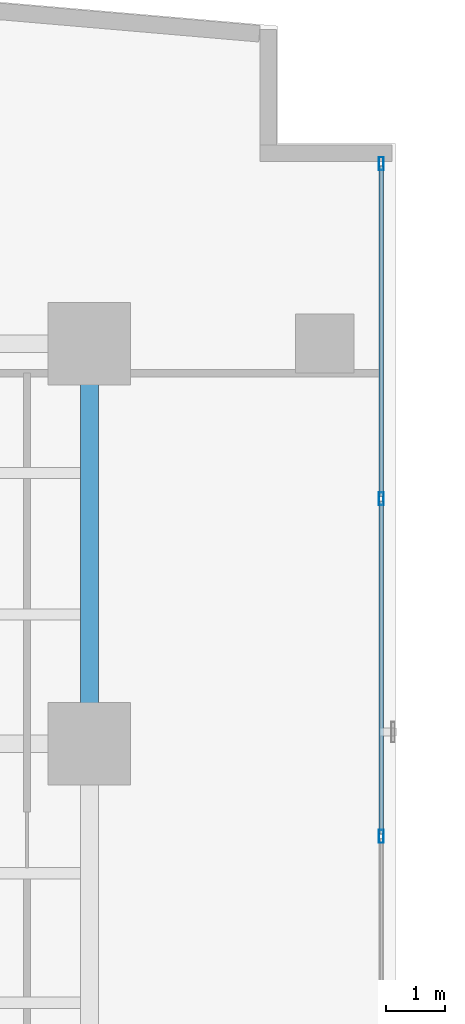
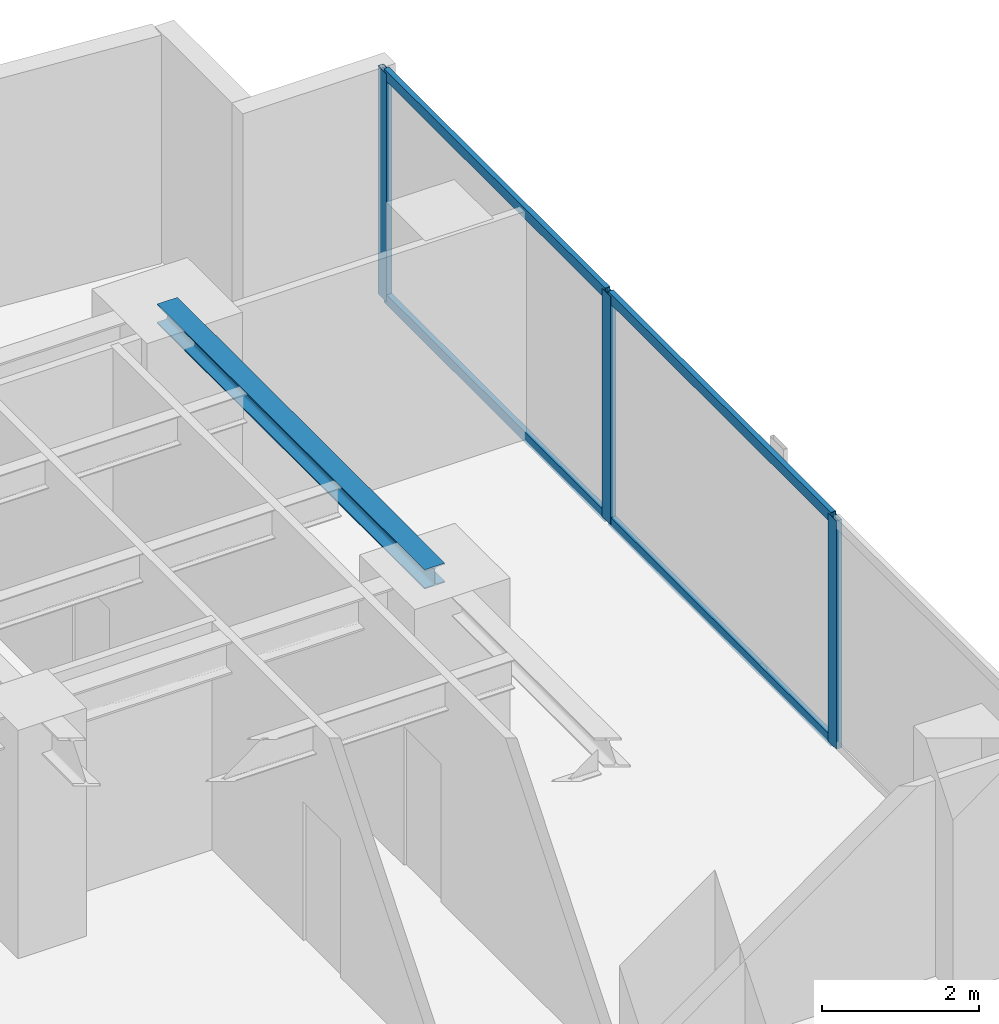
# One storey, part 19 of 26: 7 members, 1 beam, 1 element without a shape of its own.
"""IFC4 building model written with IfcOpenShell, lengths in metres."""

from ifc_helpers import new_model, si_unit, direction, frame, origin, origin_with_axes, origin_2d, place, context, subcontext, project, spatial, hollow_rectangle, i_section, extrude, source, transform, mapped, material, layer, layer_set, material_profile, profile_set, type_object, element, aggregate, save


model = new_model("IFC4")

# Units and contexts
model_context = context("Model", 3, precision=1e-05, world=origin(), true_north=direction((0.0, 1.0)))
body_context = subcontext(model_context, "Body", "Model", "MODEL_VIEW")
ifc_project = project(units=[si_unit("LENGTHUNIT", "METRE"), si_unit("AREAUNIT", "SQUARE_METRE"), si_unit("VOLUMEUNIT", "CUBIC_METRE"), si_unit("PLANEANGLEUNIT", "RADIAN"), si_unit("MASSUNIT", "GRAM", prefix="KILO")], contexts=[model_context])

# Site, building, storey
site_placement = place(None, origin())
site = spatial("IfcSite", under=ifc_project, at=site_placement, CompositionType="ELEMENT")
building_placement = place(site_placement, origin())
building = spatial("IfcBuilding", under=site, at=building_placement, Name="Kolvaren Waterfront Exchange", CompositionType="ELEMENT")
storey_placement = place(building_placement, frame((0.0, 0.0, 99.300048828125)))
storey = spatial("IfcBuildingStorey", under=building, at=storey_placement, Name="L25", CompositionType="ELEMENT", Elevation=99.300048828125)

# Beam
ifc_material_1 = material(Name="Steel S355", Category="steel")
ifc_material_profile_1 = material_profile(ifc_material_1, i_section(OverallWidth=0.300048828125, OverallDepth=0.300048828125, WebThickness=0.010986328125, FlangeThickness=0.01904296875, FilletRadius=0.027099609375, at=origin_2d()), Name="HEB300")
ifc_profile_set_1 = profile_set([ifc_material_profile_1], Name="Steel S355")
beam_type = type_object("IfcBeamType", Name="STR-BM-HEB300", PredefinedType="SPANDREL", material=ifc_profile_set_1)
beam_placement = place(storey_placement, frame((18.800048828125, 37.800048828125, 3.389892578125), z_axis=(0.0, 1.0, 0.0), x_axis=(-1.0, 0.0, 0.0)))
element("IfcBeam", 1, at=beam_placement, inside=storey, type_object=beam_type, Name="L25 north-arm edge beam 3", PredefinedType="SPANDREL", context=body_context, shape_type="SweptSolid", body=[
    extrude(i_section(OverallWidth=0.300048828125, OverallDepth=0.300048828125, WebThickness=0.010986328125, FlangeThickness=0.01904296875, FilletRadius=0.027099609375, at=origin_2d()), origin(), (0.0, 0.0, 1.0), 6.800048828125),
])

# Curtain wall, members
ifc_material_2 = material(Name="Anodised bronze aluminium 6063-T6", Category="aluminium")
ifc_layer = layer(ifc_material_2, 0.219970703125, Name="Anodised bronze aluminium 6063-T6")
ifc_layer_set = layer_set([ifc_layer], Name="Anodised bronze aluminium 6063-T6")
curtain_wall_type = type_object("IfcCurtainWallType", Name="ARC-CW-SYS1", PredefinedType="USERDEFINED", material=ifc_layer_set)
curtain_wall_placement = place(storey_placement, origin())
curtain_wall = element("IfcCurtainWall", 2, at=curtain_wall_placement, inside=storey, type_object=curtain_wall_type, Name="L25 stick curtain wall CW1 (CW-L25-NE)", ObjectType="STICK CURTAIN WALL", PredefinedType="USERDEFINED")
ifc_material_3 = material(Name="Anodised aluminium 6063-T6", Category="aluminium")
ifc_material_profile_2 = material_profile(ifc_material_3, hollow_rectangle(XDim=0.080078125, YDim=0.219970703125, WallThickness=0.0048828125, at=origin_2d()), Name="ALU-MUL-220x80x5")
ifc_profile_set_2 = profile_set([ifc_material_profile_2], Name="Anodised aluminium 6063-T6")
member_type_1 = type_object("IfcMemberType", Name="ARC-CWM-220", PredefinedType="MULLION", material=ifc_profile_set_2)
shared_shape_1 = source(origin_with_axes(), body_context, "Body", "SweptSolid", [
    extrude(hollow_rectangle(XDim=0.080078125, YDim=0.219970703125, WallThickness=0.0048828125, at=origin_2d()), origin(), (0.0, 0.0, 1.0), 3.5400390625),
])
member_1_placement = place(storey_placement, frame((23.760009765625, 36.2265625, 0.0), z_axis=(0.0, 0.0, 1.0), x_axis=(-1.0, 0.0, 0.0)))
member_1 = element("IfcMember", 3, at=member_1_placement, type_object=member_type_1, Name="CW1 mullion 2", PredefinedType="MULLION", context=body_context, shape_type="MappedRepresentation", body=[
    mapped(shared_shape_1, transform((0.0, 0.0, 0.0), x_axis=(1.0, 0.0, 0.0), y_axis=(0.0, 1.0, 0.0), z_axis=(0.0, 0.0, 1.0), scale=1.0)),
])
member_2_placement = place(storey_placement, frame((23.760009765625, 41.96337890625, 0.0), z_axis=(0.0, 0.0, 1.0), x_axis=(-1.0, 0.0, 0.0)))
member_2 = element("IfcMember", 4, at=member_2_placement, type_object=member_type_1, Name="CW1 mullion 3", PredefinedType="MULLION", context=body_context, shape_type="MappedRepresentation", body=[
    mapped(shared_shape_1, transform((0.0, 0.0, 0.0), x_axis=(1.0, 0.0, 0.0), y_axis=(0.0, 1.0, 0.0), z_axis=(0.0, 0.0, 1.0), scale=1.0)),
])
member_3_placement = place(storey_placement, frame((23.760009765625, 47.659912109375, 0.0), z_axis=(0.0, 0.0, 1.0), x_axis=(-1.0, 0.0, 0.0)))
member_3 = element("IfcMember", 5, at=member_3_placement, type_object=member_type_1, Name="CW1 mullion 4", PredefinedType="MULLION", context=body_context, shape_type="MappedRepresentation", body=[
    mapped(shared_shape_1, transform((0.0, 0.0, 0.0), x_axis=(1.0, 0.0, 0.0), y_axis=(0.0, 1.0, 0.0), z_axis=(0.0, 0.0, 1.0), scale=1.0)),
])
ifc_material_profile_3 = material_profile(ifc_material_3, hollow_rectangle(XDim=0.074951171875, YDim=0.159912109375, WallThickness=0.00439453125, at=origin_2d()), Name="ALU-TRN-160x75x4.5")
ifc_profile_set_3 = profile_set([ifc_material_profile_3], Name="Anodised aluminium 6063-T6")
member_type_2 = type_object("IfcMemberType", Name="ARC-CWT-160", PredefinedType="USERDEFINED", material=ifc_profile_set_3)
shared_shape_2 = source(origin_with_axes(), body_context, "Body", "SweptSolid", [
    extrude(hollow_rectangle(XDim=0.074951171875, YDim=0.159912109375, WallThickness=0.00439453125, at=origin_2d()), origin(), (0.0, 0.0, 1.0), 5.61669921875),
])
member_4_placement = place(storey_placement, frame((23.760009765625, 42.00341796875, 0.037353515625), z_axis=(0.0, 1.0, 0.0), x_axis=(-1.0, 0.0, 0.0)))
member_4 = element("IfcMember", 6, at=member_4_placement, type_object=member_type_2, Name="CW1 transom 3.1", ObjectType="TRANSOM", PredefinedType="USERDEFINED", context=body_context, shape_type="MappedRepresentation", body=[
    mapped(shared_shape_2, transform((0.0, 0.0, 0.0), x_axis=(1.0, 0.0, 0.0), y_axis=(0.0, 1.0, 0.0), z_axis=(0.0, 0.0, 1.0), scale=1.0)),
])
member_5_placement = place(storey_placement, frame((23.760009765625, 42.00341796875, 3.50244140625), z_axis=(0.0, 1.0, 0.0), x_axis=(-1.0, 0.0, 0.0)))
member_5 = element("IfcMember", 7, at=member_5_placement, type_object=member_type_2, Name="CW1 transom 3.2", ObjectType="TRANSOM", PredefinedType="USERDEFINED", context=body_context, shape_type="MappedRepresentation", body=[
    mapped(shared_shape_2, transform((0.0, 0.0, 0.0), x_axis=(1.0, 0.0, 0.0), y_axis=(0.0, 1.0, 0.0), z_axis=(0.0, 0.0, 1.0), scale=1.0)),
])
shared_shape_3 = source(origin_with_axes(), body_context, "Body", "SweptSolid", [
    extrude(hollow_rectangle(XDim=0.074951171875, YDim=0.159912109375, WallThickness=0.00439453125, at=origin_2d()), origin(), (0.0, 0.0, 1.0), 5.65673828125),
])
member_6_placement = place(storey_placement, frame((23.760009765625, 36.2666015625, 0.037353515625), z_axis=(0.0, 1.0, 0.0), x_axis=(-1.0, 0.0, 0.0)))
member_6 = element("IfcMember", 8, at=member_6_placement, type_object=member_type_2, Name="CW1 transom 2.1", ObjectType="TRANSOM", PredefinedType="USERDEFINED", context=body_context, shape_type="MappedRepresentation", body=[
    mapped(shared_shape_3, transform((0.0, 0.0, 0.0), x_axis=(1.0, 0.0, 0.0), y_axis=(0.0, 1.0, 0.0), z_axis=(0.0, 0.0, 1.0), scale=1.0)),
])
member_7_placement = place(storey_placement, frame((23.760009765625, 36.2666015625, 3.50244140625), z_axis=(0.0, 1.0, 0.0), x_axis=(-1.0, 0.0, 0.0)))
member_7 = element("IfcMember", 9, at=member_7_placement, type_object=member_type_2, Name="CW1 transom 2.2", ObjectType="TRANSOM", PredefinedType="USERDEFINED", context=body_context, shape_type="MappedRepresentation", body=[
    mapped(shared_shape_3, transform((0.0, 0.0, 0.0), x_axis=(1.0, 0.0, 0.0), y_axis=(0.0, 1.0, 0.0), z_axis=(0.0, 0.0, 1.0), scale=1.0)),
])
aggregate(curtain_wall, [member_1, member_2, member_3, member_6, member_7, member_4, member_5])

save(model, "model.ifc")
